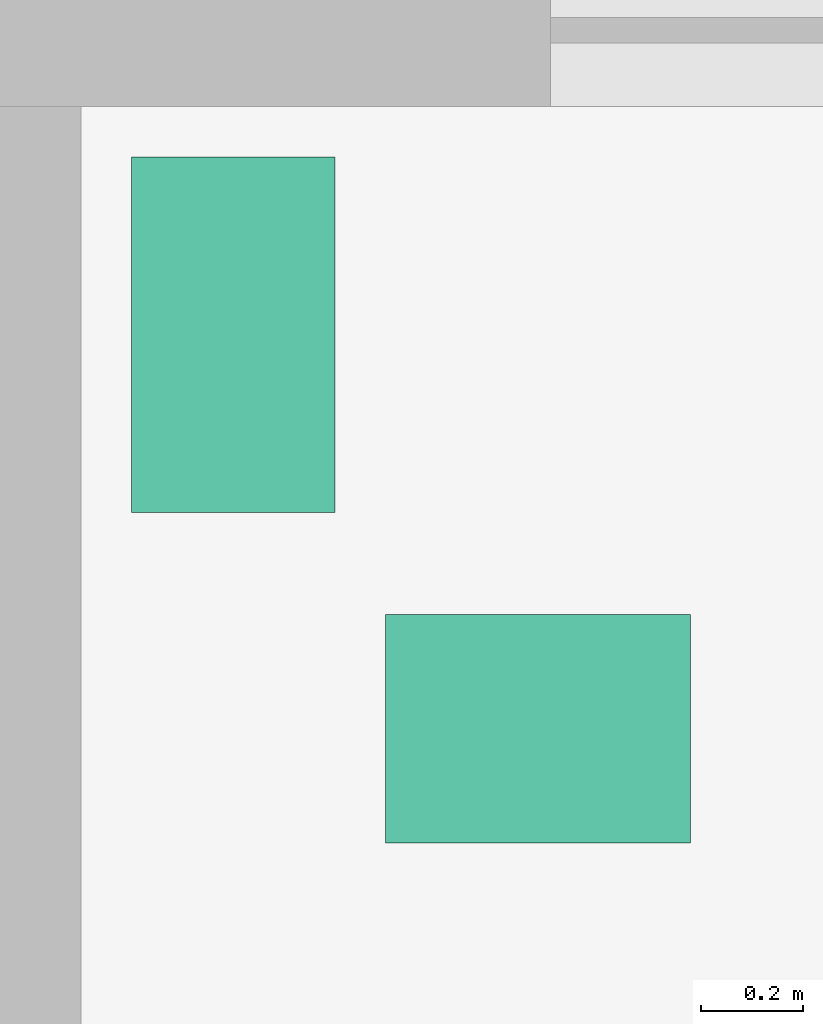
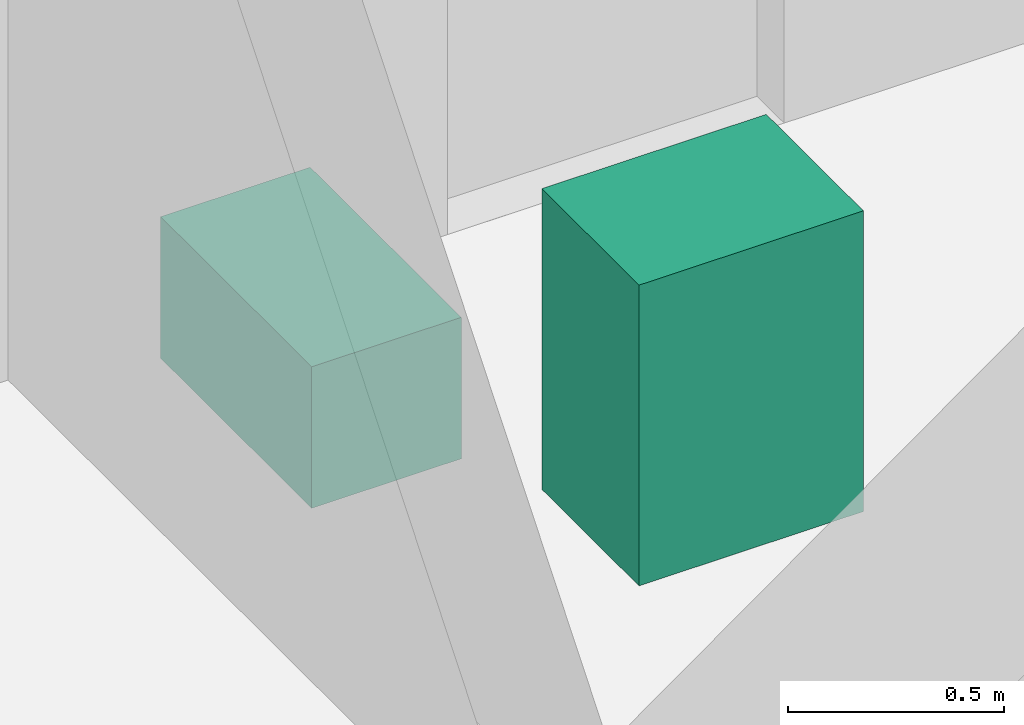
# One storey, part 12 of 12: 2 sanitary terminals.
"""IFC4 building model written with IfcOpenShell, lengths in metres."""

from ifc_helpers import new_model, si_unit, direction, frame, origin, origin_2d, place, context, subcontext, project, spatial, rectangle, extrude, element, save


model = new_model("IFC4")

# Units and contexts
model_context = context("Model", 3, precision=1e-05, world=origin(), true_north=direction((0.0, 1.0)))
body_context = subcontext(model_context, "Body", "Model", "MODEL_VIEW")
ifc_project = project(units=[si_unit("LENGTHUNIT", "METRE"), si_unit("AREAUNIT", "SQUARE_METRE"), si_unit("VOLUMEUNIT", "CUBIC_METRE"), si_unit("PLANEANGLEUNIT", "RADIAN"), si_unit("MASSUNIT", "GRAM", prefix="KILO")], contexts=[model_context])

# Site, building, storey
site_placement = place(None, origin())
site = spatial("IfcSite", under=ifc_project, at=site_placement, CompositionType="ELEMENT")
building_placement = place(site_placement, origin())
building = spatial("IfcBuilding", under=site, at=building_placement, Name="Hankou Lantern Tower", CompositionType="ELEMENT")
storey_placement = place(building_placement, frame((0.0, 0.0, 219.300048828125)))
storey = spatial("IfcBuildingStorey", under=building, at=storey_placement, Name="L59", CompositionType="ELEMENT", Elevation=219.300048828125)

# Sanitary terminals
sanitary_terminal_1_placement = place(storey_placement, frame((-2.574951171875, -2.199951171875, 0.0), z_axis=(0.0, 0.0, 1.0), x_axis=(1.0, 0.0, 0.0)))
element("IfcSanitaryTerminal", 1, at=sanitary_terminal_1_placement, inside=storey, Name="Accessible staff WC WC pan 1", PredefinedType="TOILETPAN", context=body_context, shape_type="SweptSolid", body=[
    extrude(rectangle(XDim=0.39990234375, YDim=0.699951171875, at=origin_2d()), origin(), (0.0, 0.0, 1.0), 0.39990234375),
])
sanitary_terminal_2_placement = place(storey_placement, frame((-1.97509765625, -2.97509765625, 0.0), z_axis=(0.0, 0.0, 1.0), x_axis=(1.0, 0.0, 0.0)))
element("IfcSanitaryTerminal", 2, at=sanitary_terminal_2_placement, inside=storey, Name="Accessible staff WC wash basin 1", PredefinedType="WASHHANDBASIN", context=body_context, shape_type="SweptSolid", body=[
    extrude(rectangle(XDim=0.60009765625, YDim=0.449951171875, at=origin_2d()), origin(), (0.0, 0.0, 1.0), 0.85009765625),
])

save(model, "model.ifc")
